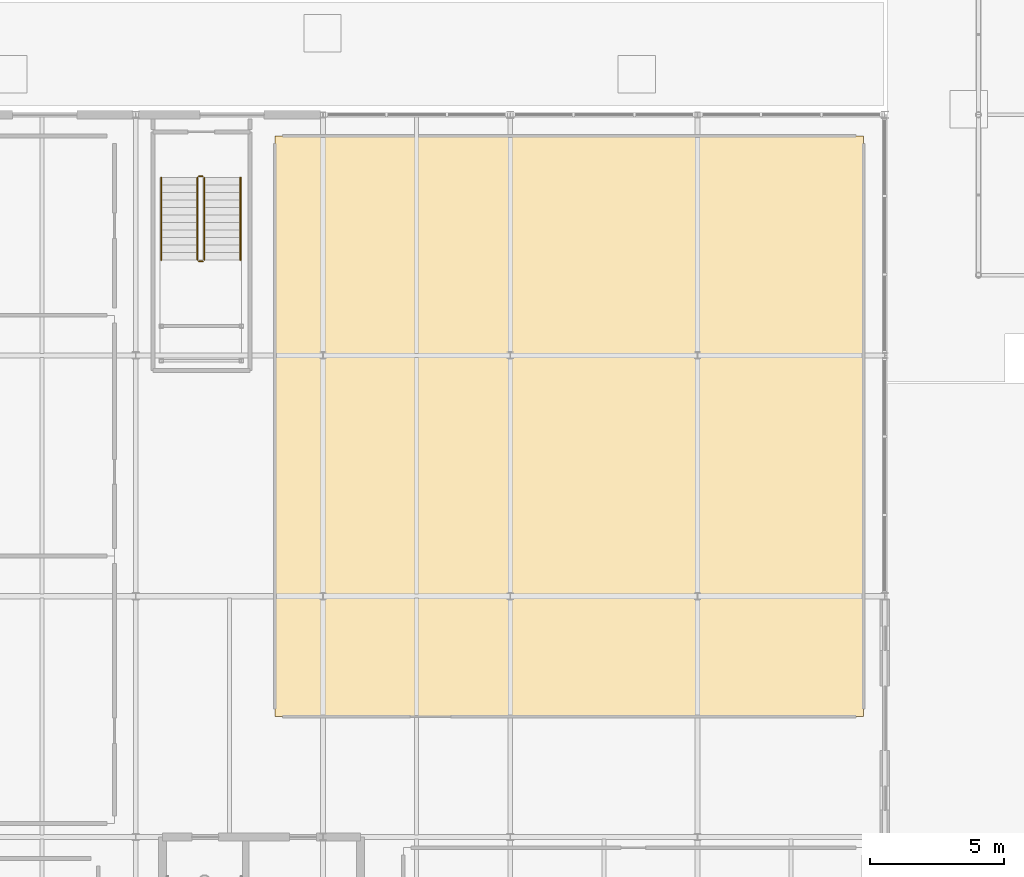
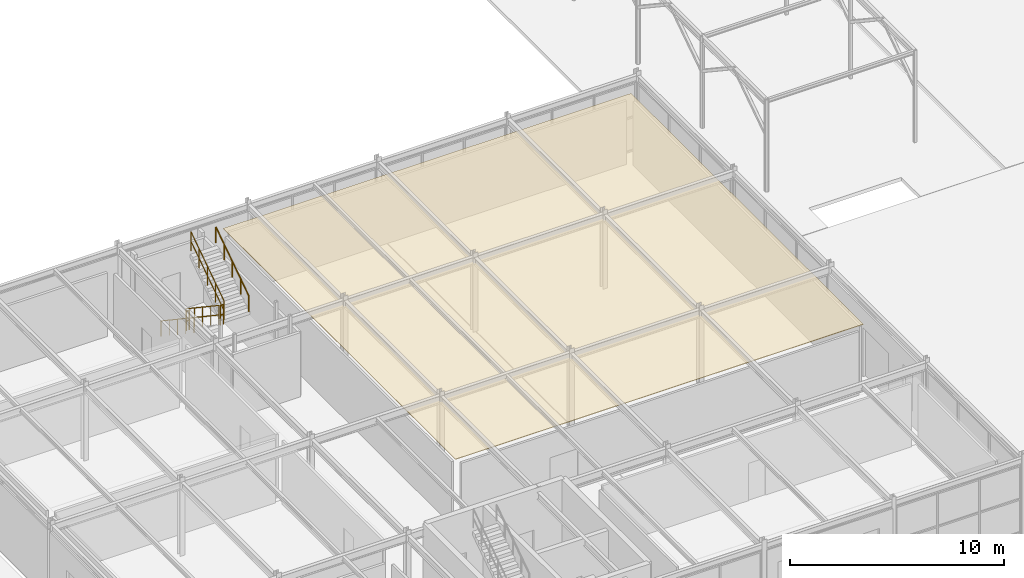
# One storey, part 109 of 119: 6 railings, 1 covering.
"""IFC4 building model written with IfcOpenShell, lengths in metres."""

from ifc_helpers import new_model, si_unit, derived_unit, direction, frame, origin, origin_2d_with_axis, place, context, subcontext, project, spatial, polyline, circle, outline, extrude, material, layer, layer_set, type_object, element, save


model = new_model("IFC4")

# Units and contexts
model_context = context("Model", 3, precision=1e-05, world=origin(), true_north=direction((0.0, 1.0)))
body_context = subcontext(model_context, "Body", "Model", "MODEL_VIEW")
ifc_project = project(units=[si_unit("LENGTHUNIT", "METRE"), si_unit("AREAUNIT", "SQUARE_METRE"), si_unit("VOLUMEUNIT", "CUBIC_METRE"), si_unit("PLANEANGLEUNIT", "RADIAN"), si_unit("MASSUNIT", "GRAM", prefix="KILO"), derived_unit("THERMALTRANSMITTANCEUNIT", [(si_unit("POWERUNIT", "WATT"), 1), (si_unit("LENGTHUNIT", "METRE"), -2), (si_unit("THERMODYNAMICTEMPERATUREUNIT", "KELVIN"), -1)])], contexts=[model_context])

# Site, building, storey
site_placement = place(None, origin())
site = spatial("IfcSite", under=ifc_project, at=site_placement, CompositionType="ELEMENT")
building_placement = place(site_placement, origin())
building = spatial("IfcBuilding", under=site, at=building_placement, Name="Cinnabar Yard Market Hall", CompositionType="ELEMENT")
storey_placement = place(building_placement, origin())
storey = spatial("IfcBuildingStorey", under=building, at=storey_placement, Name="L00", CompositionType="ELEMENT", Elevation=0.0)

# Covering
ifc_material_1 = material(Name="Perforated acoustic spotted-gum timber slats", Category="wood")
ifc_layer_1 = layer(ifc_material_1, 0.0400390625)
ifc_layer_set_1 = layer_set([ifc_layer_1], Name="Perforated acoustic spotted-gum timber slats")
covering_type = type_object("IfcCoveringType", Name="COV-CLG1", PredefinedType="CEILING", material=ifc_layer_set_1)
covering_placement = place(storey_placement, frame((0.0, 0.0, 3.8798828125)))
element("IfcCovering", 1, at=covering_placement, inside=storey, type_object=covering_type, Name="Ceiling Food Court Dining Hall", PredefinedType="CEILING", context=body_context, shape_type="SweptSolid", body=[
    extrude(outline(polyline([(29.199951171875, 61.5), (51.199951171875, 61.5), (51.199951171875, 83.199951171875), (29.199951171875, 83.199951171875), (29.199951171875, 61.5)])), origin(), (0.0, 0.0, 1.0), 0.03515625),
])

# Railings
ifc_material_2 = material(Name="Laminated glass and bronze handrail", Category="glass")
ifc_layer_2 = layer(ifc_material_2, 0.070068359375)
ifc_layer_set_2 = layer_set([ifc_layer_2], Name="Laminated glass and bronze handrail")
railing_type_1 = type_object("IfcRailingType", Name="RL-G01", PredefinedType="BALUSTRADE", material=ifc_layer_set_2)
railing_1_placement = place(storey_placement, frame((26.300048828125, 81.64990234375, 0.1875)))
element("IfcRailing", 2, at=railing_1_placement, inside=storey, type_object=railing_type_1, Name="L00 ST-F3 stair guard 1", PredefinedType="BALUSTRADE", context=body_context, shape_type="SweptSolid", body=[
    extrude(circle(Radius=0.02392578125, at=origin_2d_with_axis()), frame((0.0, 0.0, 1.09619140625), z_axis=(0.0, -0.830893310487, 0.556431762742), x_axis=(1.0, 0.0, 0.0)), (0.0, 0.0, 1.0), 3.70654296875),
    extrude(circle(Radius=0.02392578125, at=origin_2d_with_axis()), frame((0.0, 0.0, 0.550048828125), z_axis=(0.0, -0.830893310487, 0.556431762742), x_axis=(1.0, 0.0, 0.0)), (0.0, 0.0, 1.0), 3.70654296875),
    extrude(circle(Radius=0.02099609375, at=origin_2d_with_axis()), origin(), (0.0, 0.0, 1.0), 1.072021484375),
    extrude(circle(Radius=0.02099609375, at=origin_2d_with_axis()), frame((0.0, -0.77001953125, 0.515625)), (0.0, 0.0, 1.0), 1.072021484375),
    extrude(circle(Radius=0.02099609375, at=origin_2d_with_axis()), frame((0.0, -1.5400390625, 1.03125)), (0.0, 0.0, 1.0), 1.072021484375),
    extrude(circle(Radius=0.02099609375, at=origin_2d_with_axis()), frame((0.0, -2.309814453125, 1.546875)), (0.0, 0.0, 1.0), 1.072021484375),
    extrude(circle(Radius=0.02099609375, at=origin_2d_with_axis()), frame((0.0, -3.079833984375, 2.0625)), (0.0, 0.0, 1.0), 1.072021484375),
])
railing_2_placement = place(storey_placement, frame((26.35009765625, 78.52001953125, 2.25)))
element("IfcRailing", 3, at=railing_2_placement, inside=storey, type_object=railing_type_1, Name="L00 ST-F3 stair guard 2", PredefinedType="BALUSTRADE", context=body_context, shape_type="SweptSolid", body=[
    extrude(circle(Radius=0.02392578125, at=origin_2d_with_axis()), frame((0.0, 0.0, 1.09619140625), z_axis=(1.0, 0.0, 0.0), x_axis=(0.0, 1.0, 0.0)), (0.0, 0.0, 1.0), 0.159912109375),
    extrude(circle(Radius=0.02392578125, at=origin_2d_with_axis()), frame((0.0, 0.0, 0.550048828125), z_axis=(1.0, 0.0, 0.0), x_axis=(0.0, 1.0, 0.0)), (0.0, 0.0, 1.0), 0.159912109375),
    extrude(circle(Radius=0.02099609375, at=origin_2d_with_axis()), origin(), (0.0, 0.0, 1.0), 1.072021484375),
    extrude(circle(Radius=0.02099609375, at=origin_2d_with_axis()), frame((0.159912109375, 0.0, 0.0)), (0.0, 0.0, 1.0), 1.072021484375),
])
railing_3_placement = place(storey_placement, frame((26.56005859375, 78.570068359375, 2.4375)))
element("IfcRailing", 4, at=railing_3_placement, inside=storey, type_object=railing_type_1, Name="L00 ST-F3 stair guard 3", PredefinedType="BALUSTRADE", context=body_context, shape_type="SweptSolid", body=[
    extrude(circle(Radius=0.02392578125, at=origin_2d_with_axis()), frame((0.0, 0.0, 1.09619140625), z_axis=(0.0, 0.830893310487, 0.556431762742), x_axis=(-1.0, 0.0, 0.0)), (0.0, 0.0, 1.0), 3.70654296875),
    extrude(circle(Radius=0.02392578125, at=origin_2d_with_axis()), frame((0.0, 0.0, 0.550048828125), z_axis=(0.0, 0.830893310487, 0.556431762742), x_axis=(-1.0, 0.0, 0.0)), (0.0, 0.0, 1.0), 3.70654296875),
    extrude(circle(Radius=0.02099609375, at=origin_2d_with_axis()), origin(), (0.0, 0.0, 1.0), 1.072021484375),
    extrude(circle(Radius=0.02099609375, at=origin_2d_with_axis()), frame((0.0, 0.77001953125, 0.515625)), (0.0, 0.0, 1.0), 1.072021484375),
    extrude(circle(Radius=0.02099609375, at=origin_2d_with_axis()), frame((0.0, 1.5400390625, 1.03125)), (0.0, 0.0, 1.0), 1.072021484375),
    extrude(circle(Radius=0.02099609375, at=origin_2d_with_axis()), frame((0.0, 2.309814453125, 1.546875)), (0.0, 0.0, 1.0), 1.072021484375),
    extrude(circle(Radius=0.02099609375, at=origin_2d_with_axis()), frame((0.0, 3.079833984375, 2.0625)), (0.0, 0.0, 1.0), 1.072021484375),
])
railing_4_placement = place(storey_placement, frame((26.35009765625, 81.699951171875, 0.0)))
element("IfcRailing", 5, at=railing_4_placement, inside=storey, type_object=railing_type_1, Name="L00 ST-F3 stair guard 4", PredefinedType="BALUSTRADE", context=body_context, shape_type="SweptSolid", body=[
    extrude(circle(Radius=0.02392578125, at=origin_2d_with_axis()), frame((0.0, 0.0, 1.09619140625), z_axis=(1.0, 0.0, 0.0), x_axis=(0.0, 1.0, 0.0)), (0.0, 0.0, 1.0), 0.159912109375),
    extrude(circle(Radius=0.02392578125, at=origin_2d_with_axis()), frame((0.0, 0.0, 0.550048828125), z_axis=(1.0, 0.0, 0.0), x_axis=(0.0, 1.0, 0.0)), (0.0, 0.0, 1.0), 0.159912109375),
    extrude(circle(Radius=0.02099609375, at=origin_2d_with_axis()), origin(), (0.0, 0.0, 1.0), 1.072021484375),
    extrude(circle(Radius=0.02099609375, at=origin_2d_with_axis()), frame((0.159912109375, 0.0, 0.0)), (0.0, 0.0, 1.0), 1.072021484375),
])
ifc_material_3 = material(Name="Brushed stainless steel handrail", Category="steel")
ifc_layer_3 = layer(ifc_material_3, 0.050048828125)
ifc_layer_set_3 = layer_set([ifc_layer_3], Name="Brushed stainless steel handrail")
railing_type_2 = type_object("IfcRailingType", Name="RL-HR1", PredefinedType="HANDRAIL", material=ifc_layer_set_3)
railing_5_placement = place(storey_placement, frame((24.949951171875, 81.64990234375, 0.1875)))
element("IfcRailing", 6, at=railing_5_placement, inside=storey, type_object=railing_type_2, Name="L00 ST-F3 stair handrail 1", PredefinedType="HANDRAIL", context=body_context, shape_type="SweptSolid", body=[
    extrude(circle(Radius=0.02392578125, at=origin_2d_with_axis()), frame((0.0, 0.0, 0.8759765625), z_axis=(0.0, -0.830893310487, 0.556431762742), x_axis=(1.0, 0.0, 0.0)), (0.0, 0.0, 1.0), 3.70654296875),
    extrude(circle(Radius=0.02099609375, at=origin_2d_with_axis()), origin(), (0.0, 0.0, 1.0), 0.851806640625),
    extrude(circle(Radius=0.02099609375, at=origin_2d_with_axis()), frame((0.0, -0.77001953125, 0.515625)), (0.0, 0.0, 1.0), 0.851806640625),
    extrude(circle(Radius=0.02099609375, at=origin_2d_with_axis()), frame((0.0, -1.5400390625, 1.03125)), (0.0, 0.0, 1.0), 0.851806640625),
    extrude(circle(Radius=0.02099609375, at=origin_2d_with_axis()), frame((0.0, -2.309814453125, 1.546875)), (0.0, 0.0, 1.0), 0.851806640625),
    extrude(circle(Radius=0.02099609375, at=origin_2d_with_axis()), frame((0.0, -3.079833984375, 2.0625)), (0.0, 0.0, 1.0), 0.851806640625),
])
railing_6_placement = place(storey_placement, frame((27.909912109375, 78.570068359375, 2.4375)))
element("IfcRailing", 7, at=railing_6_placement, inside=storey, type_object=railing_type_2, Name="L00 ST-F3 stair handrail 2", PredefinedType="HANDRAIL", context=body_context, shape_type="SweptSolid", body=[
    extrude(circle(Radius=0.02392578125, at=origin_2d_with_axis()), frame((0.0, 0.0, 0.8759765625), z_axis=(0.0, 0.830893310487, 0.556431762742), x_axis=(-1.0, 0.0, 0.0)), (0.0, 0.0, 1.0), 3.70654296875),
    extrude(circle(Radius=0.02099609375, at=origin_2d_with_axis()), origin(), (0.0, 0.0, 1.0), 0.851806640625),
    extrude(circle(Radius=0.02099609375, at=origin_2d_with_axis()), frame((0.0, 0.77001953125, 0.515625)), (0.0, 0.0, 1.0), 0.851806640625),
    extrude(circle(Radius=0.02099609375, at=origin_2d_with_axis()), frame((0.0, 1.5400390625, 1.03125)), (0.0, 0.0, 1.0), 0.851806640625),
    extrude(circle(Radius=0.02099609375, at=origin_2d_with_axis()), frame((0.0, 2.309814453125, 1.546875)), (0.0, 0.0, 1.0), 0.851806640625),
    extrude(circle(Radius=0.02099609375, at=origin_2d_with_axis()), frame((0.0, 3.079833984375, 2.0625)), (0.0, 0.0, 1.0), 0.851806640625),
])

save(model, "model.ifc")
